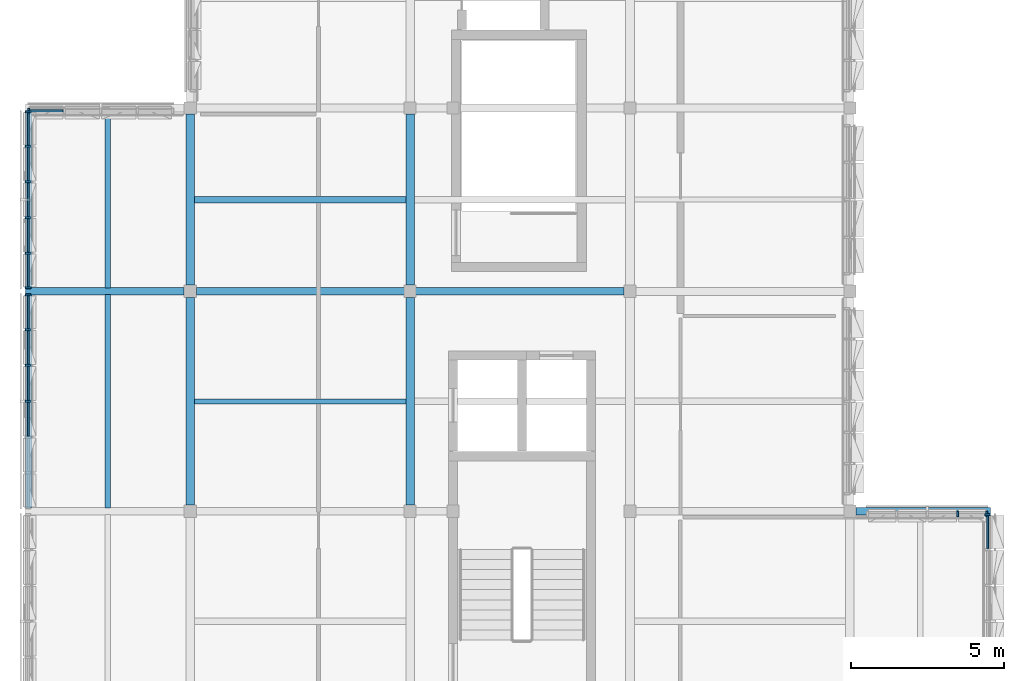
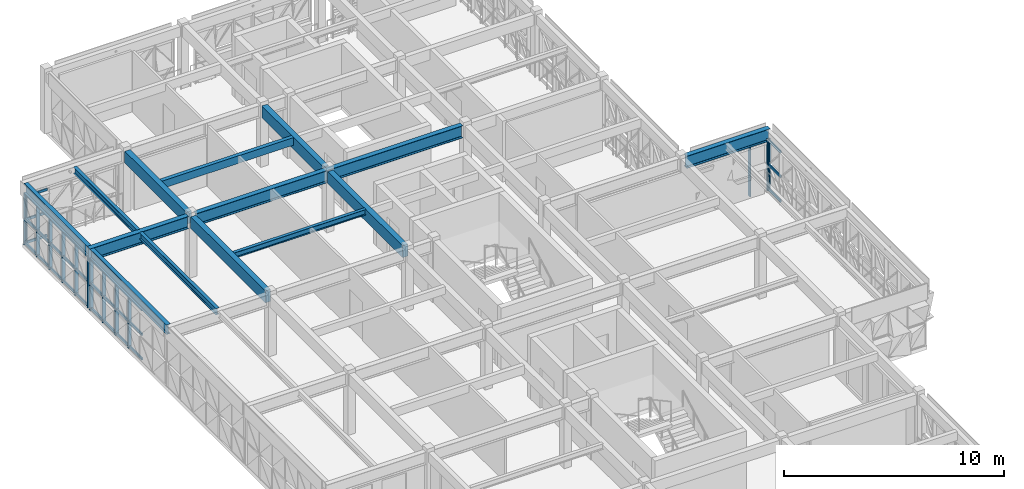
# One storey, part 5 of 25: 47 members, 13 beams, 5 elements without a shape of their own.
"""IFC4 building model written with IfcOpenShell, lengths in metres."""

from ifc_helpers import new_model, si_unit, direction, frame, origin, origin_2d, place, context, subcontext, project, spatial, rectangle, i_section, extrude, material, material_profile, profile_set, type_object, element, aggregate, save


model = new_model("IFC4")

# Units and contexts
model_context = context("Model", 3, precision=1e-05, world=origin(), true_north=direction((0.0, 1.0)))
body_context = subcontext(model_context, "Body", "Model", "MODEL_VIEW")
ifc_project = project(units=[si_unit("LENGTHUNIT", "METRE"), si_unit("AREAUNIT", "SQUARE_METRE"), si_unit("VOLUMEUNIT", "CUBIC_METRE"), si_unit("PLANEANGLEUNIT", "RADIAN"), si_unit("MASSUNIT", "GRAM", prefix="KILO")], contexts=[model_context])

# Site, building, storey
site_placement = place(None, origin())
site = spatial("IfcSite", under=ifc_project, at=site_placement, CompositionType="ELEMENT")
building_placement = place(site_placement, origin())
building = spatial("IfcBuilding", under=site, at=building_placement, Name="Alvorim Cloister Faculty of Sciences", CompositionType="ELEMENT")
storey_placement = place(building_placement, frame((0.0, 0.0, 29.699951171875)))
storey = spatial("IfcBuildingStorey", under=building, at=storey_placement, Name="L08", CompositionType="ELEMENT", Elevation=29.699951171875)

# Beams
ifc_material_1 = material(Name="Glulam GL28h", Category="wood")
ifc_material_profile_1 = material_profile(ifc_material_1, rectangle(XDim=0.280029296875, YDim=0.659912109375, at=origin_2d()), Name="GL28-BM-280x660")
ifc_profile_set_1 = profile_set([ifc_material_profile_1], Name="Glulam GL28h")
beam_type_1 = type_object("IfcBeamType", Name="BM-GL-280x660", PredefinedType="BEAM", material=ifc_profile_set_1)
beam_1_placement = place(storey_placement, frame((7.199951171875, 36.199951171875, 3.070068359375), z_axis=(0.0, 1.0, 0.0), x_axis=(-1.0, 0.0, 0.0)))
element("IfcBeam", 1, at=beam_1_placement, inside=storey, type_object=beam_type_1, Name="L08 Primary Girder BM-2184", PredefinedType="BEAM", context=body_context, shape_type="SweptSolid", body=[
    extrude(rectangle(XDim=0.280029296875, YDim=0.659912109375, at=origin_2d()), origin(), (0.0, 0.0, 1.0), 6.800048828125),
])
beam_2_placement = place(storey_placement, frame((7.199951171875, 43.39990234375, 3.070068359375), z_axis=(0.0, 1.0, 0.0), x_axis=(-1.0, 0.0, 0.0)))
element("IfcBeam", 2, at=beam_2_placement, inside=storey, type_object=beam_type_1, Name="L08 Primary Girder BM-2185", PredefinedType="BEAM", context=body_context, shape_type="SweptSolid", body=[
    extrude(rectangle(XDim=0.280029296875, YDim=0.659912109375, at=origin_2d()), origin(), (0.0, 0.0, 1.0), 5.60009765625),
])
beam_3_placement = place(storey_placement, frame((14.39990234375, 36.199951171875, 3.06005859375), z_axis=(0.0, 1.0, 0.0), x_axis=(-1.0, 0.0, 0.0)))
element("IfcBeam", 3, at=beam_3_placement, inside=storey, type_object=beam_type_1, Name="L08 Primary Girder BM-2191", PredefinedType="BEAM", context=body_context, shape_type="SweptSolid", body=[
    extrude(rectangle(XDim=0.280029296875, YDim=0.659912109375, at=origin_2d()), origin(), (0.0, 0.0, 1.0), 6.800048828125),
])
beam_4_placement = place(storey_placement, frame((14.39990234375, 43.39990234375, 3.070068359375), z_axis=(0.0, 1.0, 0.0), x_axis=(-1.0, 0.0, 0.0)))
element("IfcBeam", 4, at=beam_4_placement, inside=storey, type_object=beam_type_1, Name="L08 Primary Girder BM-2192", PredefinedType="BEAM", context=body_context, shape_type="SweptSolid", body=[
    extrude(rectangle(XDim=0.280029296875, YDim=0.659912109375, at=origin_2d()), origin(), (0.0, 0.0, 1.0), 5.60009765625),
])
ifc_material_profile_2 = material_profile(ifc_material_1, rectangle(XDim=0.199951171875, YDim=0.419921875, at=origin_2d()), Name="GL28-JST-200x420")
ifc_profile_set_2 = profile_set([ifc_material_profile_2], Name="Glulam GL28h")
beam_type_2 = type_object("IfcBeamType", Name="BM-JST-GL-200x420", PredefinedType="JOIST", material=ifc_profile_set_2)
beam_5_placement = place(storey_placement, frame((7.340087890625, 46.199951171875, 3.18994140625), z_axis=(1.0, 0.0, 0.0), x_axis=(0.0, 1.0, 0.0)))
element("IfcBeam", 5, at=beam_5_placement, inside=storey, type_object=beam_type_2, Name="L08 Secondary Floor Joist BM-2213", PredefinedType="JOIST", context=body_context, shape_type="SweptSolid", body=[
    extrude(rectangle(XDim=0.199951171875, YDim=0.419921875, at=origin_2d()), origin(), (0.0, 0.0, 1.0), 6.919921875),
])
ifc_material_2 = material(Name="Steel ASTM A572 Grade 50", Category="steel")
ifc_material_profile_3 = material_profile(ifc_material_2, i_section(OverallWidth=0.1650390625, OverallDepth=0.31005859375, WebThickness=0.005859375, FlangeThickness=0.009765625, FilletRadius=0.010986328125, at=origin_2d()), Name="W310x38.7")
ifc_profile_set_3 = profile_set([ifc_material_profile_3], Name="Steel ASTM A572 Grade 50")
beam_type_3 = type_object("IfcBeamType", Name="BM-STL-W310", PredefinedType="JOIST", material=ifc_profile_set_3)
beam_6_placement = place(storey_placement, frame((7.340087890625, 39.60009765625, 3.2451171875), z_axis=(1.0, 0.0, 0.0), x_axis=(0.0, 1.0, 0.0)))
element("IfcBeam", 6, at=beam_6_placement, inside=storey, type_object=beam_type_3, Name="L08 Secondary Floor Joist BM-2212", PredefinedType="JOIST", context=body_context, shape_type="SweptSolid", body=[
    extrude(i_section(OverallWidth=0.1650390625, OverallDepth=0.31005859375, WebThickness=0.005859375, FlangeThickness=0.009765625, FilletRadius=0.010986328125, at=origin_2d()), origin(), (0.0, 0.0, 1.0), 6.919921875),
])
ifc_material_profile_4 = material_profile(ifc_material_2, i_section(OverallWidth=0.1708984375, OverallDepth=0.35498046875, WebThickness=0.007080078125, FlangeThickness=0.01171875, FilletRadius=0.012939453125, at=origin_2d()), Name="W360x51.0")
ifc_profile_set_4 = profile_set([ifc_material_profile_4], Name="Steel ASTM A572 Grade 50")
beam_type_4 = type_object("IfcBeamType", Name="BM-STL-W360", PredefinedType="JOIST", material=ifc_profile_set_4)
beam_7_placement = place(storey_placement, frame((4.5, 36.110107421875, 3.22265625), z_axis=(0.0, 1.0, 0.0), x_axis=(-1.0, 0.0, 0.0)))
element("IfcBeam", 7, at=beam_7_placement, inside=storey, type_object=beam_type_4, Name="L08 Cantilever Deck Joist BM-0202", PredefinedType="JOIST", context=body_context, shape_type="SweptSolid", body=[
    extrude(i_section(OverallWidth=0.1708984375, OverallDepth=0.35498046875, WebThickness=0.007080078125, FlangeThickness=0.01171875, FilletRadius=0.012939453125, at=origin_2d()), origin(), (0.0, 0.0, 1.0), 6.97998046875),
])
beam_8_placement = place(storey_placement, frame((4.5, 43.31005859375, 3.22265625), z_axis=(0.0, 1.0, 0.0), x_axis=(-1.0, 0.0, 0.0)))
element("IfcBeam", 8, at=beam_8_placement, inside=storey, type_object=beam_type_4, Name="L08 Cantilever Deck Joist BM-0204", PredefinedType="JOIST", context=body_context, shape_type="SweptSolid", body=[
    extrude(i_section(OverallWidth=0.1708984375, OverallDepth=0.35498046875, WebThickness=0.007080078125, FlangeThickness=0.01171875, FilletRadius=0.012939453125, at=origin_2d()), origin(), (0.0, 0.0, 1.0), 5.780029296875),
])
ifc_material_profile_5 = material_profile(ifc_material_2, i_section(OverallWidth=0.208984375, OverallDepth=0.532958984375, WebThickness=0.01025390625, FlangeThickness=0.015625, FilletRadius=0.01611328125, at=origin_2d()), Name="W530x92.0")
ifc_profile_set_5 = profile_set([ifc_material_profile_5], Name="Steel ASTM A572 Grade 50")
beam_type_5 = type_object("IfcBeamType", Name="BM-STL-W530", PredefinedType="BEAM", material=ifc_profile_set_5)
beam_9_placement = place(storey_placement, frame((1.919921875, 36.110107421875, 3.133544921875), z_axis=(0.0, 1.0, 0.0), x_axis=(-1.0, 0.0, 0.0)))
element("IfcBeam", 9, at=beam_9_placement, inside=storey, type_object=beam_type_5, Name="L08 Cantilever Tip Header Girder BM-0201", PredefinedType="BEAM", context=body_context, shape_type="SweptSolid", body=[
    extrude(i_section(OverallWidth=0.208984375, OverallDepth=0.532958984375, WebThickness=0.01025390625, FlangeThickness=0.015625, FilletRadius=0.01611328125, at=origin_2d()), origin(), (0.0, 0.0, 1.0), 6.97998046875),
])
beam_10_placement = place(storey_placement, frame((1.919921875, 43.31005859375, 3.133544921875), z_axis=(0.0, 1.0, 0.0), x_axis=(-1.0, 0.0, 0.0)))
element("IfcBeam", 10, at=beam_10_placement, inside=storey, type_object=beam_type_5, Name="L08 Cantilever Tip Header Girder BM-0203", PredefinedType="BEAM", context=body_context, shape_type="SweptSolid", body=[
    extrude(i_section(OverallWidth=0.208984375, OverallDepth=0.532958984375, WebThickness=0.01025390625, FlangeThickness=0.015625, FilletRadius=0.01611328125, at=origin_2d()), origin(), (0.0, 0.0, 1.0), 5.780029296875),
])
ifc_material_profile_6 = material_profile(ifc_material_2, i_section(OverallWidth=0.25390625, OverallDepth=0.68408203125, WebThickness=0.012451171875, FlangeThickness=0.01904296875, FilletRadius=0.01904296875, at=origin_2d()), Name="W690x140.0")
ifc_profile_set_6 = profile_set([ifc_material_profile_6], Name="Steel ASTM A572 Grade 50")
beam_type_6 = type_object("IfcBeamType", Name="BM-STL-W690", PredefinedType="BEAM", material=ifc_profile_set_6)
beam_11_placement = place(storey_placement, frame((7.39990234375, 43.199951171875, 3.05810546875), z_axis=(1.0, 0.0, 0.0), x_axis=(0.0, 1.0, 0.0)))
element("IfcBeam", 11, at=beam_11_placement, inside=storey, type_object=beam_type_6, Name="L08 Cantilever Backspan Girder BM-0193", PredefinedType="BEAM", context=body_context, shape_type="SweptSolid", body=[
    extrude(i_section(OverallWidth=0.25390625, OverallDepth=0.68408203125, WebThickness=0.012451171875, FlangeThickness=0.01904296875, FilletRadius=0.01904296875, at=origin_2d()), origin(), (0.0, 0.0, 1.0), 14.0),
])
beam_12_placement = place(storey_placement, frame((1.800048828125, 43.199951171875, 3.05810546875), z_axis=(1.0, 0.0, 0.0), x_axis=(0.0, 1.0, 0.0)))
element("IfcBeam", 12, at=beam_12_placement, inside=storey, type_object=beam_type_6, Name="L08 Cantilever Overhang Girder BM-0194", PredefinedType="BEAM", context=body_context, shape_type="SweptSolid", body=[
    extrude(i_section(OverallWidth=0.25390625, OverallDepth=0.68408203125, WebThickness=0.012451171875, FlangeThickness=0.01904296875, FilletRadius=0.01904296875, at=origin_2d()), origin(), (0.0, 0.0, 1.0), 5.199951171875),
])
beam_13_placement = place(storey_placement, frame((29.0, 36.0, 3.05810546875), z_axis=(1.0, 0.0, 0.0), x_axis=(0.0, 1.0, 0.0)))
element("IfcBeam", 13, at=beam_13_placement, inside=storey, type_object=beam_type_6, Name="L08 Cantilever Overhang Girder BM-0220", PredefinedType="BEAM", context=body_context, shape_type="SweptSolid", body=[
    extrude(i_section(OverallWidth=0.25390625, OverallDepth=0.68408203125, WebThickness=0.012451171875, FlangeThickness=0.01904296875, FilletRadius=0.01904296875, at=origin_2d()), origin(), (0.0, 0.0, 1.0), 4.39990234375),
])

# Curtain wall, members
ifc_material_3 = material(Name="Aluminium and Low-E Glass Curtain Wall", Category="aluminium")
curtain_wall_type_1 = type_object("IfcCurtainWallType", Name="CW-TRI-7040x2867", PredefinedType="USERDEFINED", material=ifc_material_3)
curtain_wall_1_placement = place(storey_placement, origin())
curtain_wall_1 = element("IfcCurtainWall", 14, at=curtain_wall_1_placement, inside=storey, type_object=curtain_wall_type_1, Name="L08 Diagonal Cassette Curtain Wall CW-0283", ObjectType="UNITISED CURTAIN WALL", PredefinedType="USERDEFINED")
ifc_material_4 = material(Name="Aluminium Alloy 6063-T6", Category="aluminium")
ifc_material_profile_7 = material_profile(ifc_material_4, rectangle(XDim=0.06494140625, YDim=0.179931640625, at=origin_2d()), Name="ALU-MUL-65x180")
ifc_profile_set_7 = profile_set([ifc_material_profile_7], Name="Aluminium Alloy 6063-T6")
member_type_1 = type_object("IfcMemberType", Name="CW-MUL-65x180", PredefinedType="MULLION", material=ifc_profile_set_7)
member_1_placement = place(storey_placement, frame((1.889892578125, 39.60009765625, 0.0), z_axis=(0.0, 0.0, 1.0), x_axis=(0.0, 1.0, 0.0)))
member_1 = element("IfcMember", 15, at=member_1_placement, type_object=member_type_1, Name="CW-0283 Mullion 4", PredefinedType="MULLION", context=body_context, shape_type="SweptSolid", body=[
    extrude(rectangle(XDim=0.06494140625, YDim=0.179931640625, at=origin_2d()), origin(), (0.0, 0.0, 1.0), 2.866943359375),
])
member_2_placement = place(storey_placement, frame((1.889892578125, 40.773193359375, 0.0), z_axis=(0.0, 0.0, 1.0), x_axis=(0.0, 1.0, 0.0)))
member_2 = element("IfcMember", 16, at=member_2_placement, type_object=member_type_1, Name="CW-0283 Mullion 5", PredefinedType="MULLION", context=body_context, shape_type="SweptSolid", body=[
    extrude(rectangle(XDim=0.06494140625, YDim=0.179931640625, at=origin_2d()), origin(), (0.0, 0.0, 1.0), 2.866943359375),
])
member_3_placement = place(storey_placement, frame((1.889892578125, 41.94677734375, 0.0), z_axis=(0.0, 0.0, 1.0), x_axis=(0.0, 1.0, 0.0)))
member_3 = element("IfcMember", 17, at=member_3_placement, type_object=member_type_1, Name="CW-0283 Mullion 6", PredefinedType="MULLION", context=body_context, shape_type="SweptSolid", body=[
    extrude(rectangle(XDim=0.06494140625, YDim=0.179931640625, at=origin_2d()), origin(), (0.0, 0.0, 1.0), 2.866943359375),
])
member_4_placement = place(storey_placement, frame((1.889892578125, 43.08740234375, 0.0), z_axis=(0.0, 0.0, 1.0), x_axis=(0.0, 1.0, 0.0)))
member_4 = element("IfcMember", 18, at=member_4_placement, type_object=member_type_1, Name="CW-0283 Mullion 7", PredefinedType="MULLION", context=body_context, shape_type="SweptSolid", body=[
    extrude(rectangle(XDim=0.06494140625, YDim=0.179931640625, at=origin_2d()), origin(), (0.0, 0.0, 1.0), 2.866943359375),
])

curtain_wall_type_2 = type_object("IfcCurtainWallType", Name="CW-TRI-5840x2867", PredefinedType="USERDEFINED", material=ifc_material_3)
curtain_wall_2_placement = place(storey_placement, origin())
curtain_wall_2 = element("IfcCurtainWall", 19, at=curtain_wall_2_placement, inside=storey, type_object=curtain_wall_type_2, Name="L08 Diagonal Cassette Curtain Wall CW-0284", ObjectType="UNITISED CURTAIN WALL", PredefinedType="USERDEFINED")
member_5_placement = place(storey_placement, frame((1.889892578125, 43.3125, 0.0), z_axis=(0.0, 0.0, 1.0), x_axis=(0.0, 1.0, 0.0)))
member_5 = element("IfcMember", 20, at=member_5_placement, type_object=member_type_1, Name="CW-0284 Mullion 1", PredefinedType="MULLION", context=body_context, shape_type="SweptSolid", body=[
    extrude(rectangle(XDim=0.06494140625, YDim=0.179931640625, at=origin_2d()), origin(), (0.0, 0.0, 1.0), 2.866943359375),
])
member_6_placement = place(storey_placement, frame((1.889892578125, 44.447998046875, 0.0), z_axis=(0.0, 0.0, 1.0), x_axis=(0.0, 1.0, 0.0)))
member_6 = element("IfcMember", 21, at=member_6_placement, type_object=member_type_1, Name="CW-0284 Mullion 2", PredefinedType="MULLION", context=body_context, shape_type="SweptSolid", body=[
    extrude(rectangle(XDim=0.06494140625, YDim=0.179931640625, at=origin_2d()), origin(), (0.0, 0.0, 1.0), 2.866943359375),
])
member_7_placement = place(storey_placement, frame((1.889892578125, 45.615966796875, 0.0), z_axis=(0.0, 0.0, 1.0), x_axis=(0.0, 1.0, 0.0)))
member_7 = element("IfcMember", 22, at=member_7_placement, type_object=member_type_1, Name="CW-0284 Mullion 3", PredefinedType="MULLION", context=body_context, shape_type="SweptSolid", body=[
    extrude(rectangle(XDim=0.06494140625, YDim=0.179931640625, at=origin_2d()), origin(), (0.0, 0.0, 1.0), 2.866943359375),
])
member_8_placement = place(storey_placement, frame((1.889892578125, 46.783935546875, 0.0), z_axis=(0.0, 0.0, 1.0), x_axis=(0.0, 1.0, 0.0)))
member_8 = element("IfcMember", 23, at=member_8_placement, type_object=member_type_1, Name="CW-0284 Mullion 4", PredefinedType="MULLION", context=body_context, shape_type="SweptSolid", body=[
    extrude(rectangle(XDim=0.06494140625, YDim=0.179931640625, at=origin_2d()), origin(), (0.0, 0.0, 1.0), 2.866943359375),
])
member_9_placement = place(storey_placement, frame((1.889892578125, 47.951904296875, 0.0), z_axis=(0.0, 0.0, 1.0), x_axis=(0.0, 1.0, 0.0)))
member_9 = element("IfcMember", 24, at=member_9_placement, type_object=member_type_1, Name="CW-0284 Mullion 5", PredefinedType="MULLION", context=body_context, shape_type="SweptSolid", body=[
    extrude(rectangle(XDim=0.06494140625, YDim=0.179931640625, at=origin_2d()), origin(), (0.0, 0.0, 1.0), 2.866943359375),
])
member_10_placement = place(storey_placement, frame((1.889892578125, 49.08740234375, 0.0), z_axis=(0.0, 0.0, 1.0), x_axis=(0.0, 1.0, 0.0)))
member_10 = element("IfcMember", 25, at=member_10_placement, type_object=member_type_1, Name="CW-0284 Mullion 6", PredefinedType="MULLION", context=body_context, shape_type="SweptSolid", body=[
    extrude(rectangle(XDim=0.06494140625, YDim=0.179931640625, at=origin_2d()), origin(), (0.0, 0.0, 1.0), 2.866943359375),
])

# Curtain wall, member
curtain_wall_type_3 = type_object("IfcCurtainWallType", Name="CW-TRI-4780x2716", PredefinedType="USERDEFINED", material=ifc_material_3)
curtain_wall_3_placement = place(storey_placement, origin())
curtain_wall_3 = element("IfcCurtainWall", 26, at=curtain_wall_3_placement, inside=storey, type_object=curtain_wall_type_3, Name="L08 Diagonal Cassette Curtain Wall CW-0285", ObjectType="UNITISED CURTAIN WALL", PredefinedType="USERDEFINED")
member_11_placement = place(storey_placement, frame((1.91259765625, 49.110107421875, 0.0), z_axis=(0.0, 0.0, 1.0), x_axis=(1.0, 0.0, 0.0)))
member_11 = element("IfcMember", 27, at=member_11_placement, type_object=member_type_1, Name="CW-0285 Mullion 1", PredefinedType="MULLION", context=body_context, shape_type="SweptSolid", body=[
    extrude(rectangle(XDim=0.06494140625, YDim=0.179931640625, at=origin_2d()), origin(), (0.0, 0.0, 1.0), 2.716064453125),
])

# Curtain wall, members
curtain_wall_type_4 = type_object("IfcCurtainWallType", Name="CW-TRI-3980x2716", PredefinedType="USERDEFINED", material=ifc_material_3)
curtain_wall_4_placement = place(storey_placement, origin())
curtain_wall_4 = element("IfcCurtainWall", 28, at=curtain_wall_4_placement, inside=storey, type_object=curtain_wall_type_4, Name="L08 Diagonal Cassette Curtain Wall CW-0293", ObjectType="UNITISED CURTAIN WALL", PredefinedType="USERDEFINED")
member_12_placement = place(storey_placement, frame((32.324951171875, 35.909912109375, 0.0), z_axis=(0.0, 0.0, 1.0), x_axis=(1.0, 0.0, 0.0)))
member_12 = element("IfcMember", 29, at=member_12_placement, type_object=member_type_1, Name="CW-0293 Mullion 4", PredefinedType="MULLION", context=body_context, shape_type="SweptSolid", body=[
    extrude(rectangle(XDim=0.06494140625, YDim=0.179931640625, at=origin_2d()), origin(), (0.0, 0.0, 1.0), 2.716064453125),
])
member_13_placement = place(storey_placement, frame((33.28759765625, 35.909912109375, 0.0), z_axis=(0.0, 0.0, 1.0), x_axis=(1.0, 0.0, 0.0)))
member_13 = element("IfcMember", 30, at=member_13_placement, type_object=member_type_1, Name="CW-0293 Mullion 5", PredefinedType="MULLION", context=body_context, shape_type="SweptSolid", body=[
    extrude(rectangle(XDim=0.06494140625, YDim=0.179931640625, at=origin_2d()), origin(), (0.0, 0.0, 1.0), 2.716064453125),
])
aggregate(curtain_wall_4, [member_12, member_13])

# Curtain wall, member
curtain_wall_5_placement = place(storey_placement, origin())
curtain_wall_5 = element("IfcCurtainWall", 31, at=curtain_wall_5_placement, inside=storey, type_object=curtain_wall_type_1, Name="L08 Diagonal Cassette Curtain Wall CW-0294", ObjectType="UNITISED CURTAIN WALL", PredefinedType="USERDEFINED")
member_14_placement = place(storey_placement, frame((33.31005859375, 35.887451171875, 0.0), z_axis=(0.0, 0.0, 1.0), x_axis=(0.0, 1.0, 0.0)))
member_14 = element("IfcMember", 32, at=member_14_placement, type_object=member_type_1, Name="CW-0294 Mullion 7", PredefinedType="MULLION", context=body_context, shape_type="SweptSolid", body=[
    extrude(rectangle(XDim=0.06494140625, YDim=0.179931640625, at=origin_2d()), origin(), (0.0, 0.0, 1.0), 2.866943359375),
])

# Member
ifc_material_profile_8 = material_profile(ifc_material_4, rectangle(XDim=0.06494140625, YDim=0.139892578125, at=origin_2d()), Name="ALU-TRN-65x140")
ifc_profile_set_8 = profile_set([ifc_material_profile_8], Name="Aluminium Alloy 6063-T6")
member_type_2 = type_object("IfcMemberType", Name="CW-TRN-65x140", PredefinedType="USERDEFINED", material=ifc_profile_set_8)
member_15_placement = place(storey_placement, frame((1.889892578125, 38.459228515625, 0.070068359375), z_axis=(0.0, 1.0, 0.0), x_axis=(-1.0, 0.0, 0.0)))
member_15 = element("IfcMember", 33, at=member_15_placement, type_object=member_type_2, Name="CW-0283 Transom 3.1", ObjectType="TRANSOM", PredefinedType="USERDEFINED", context=body_context, shape_type="SweptSolid", body=[
    extrude(rectangle(XDim=0.06494140625, YDim=0.139892578125, at=origin_2d()), origin(), (0.0, 0.0, 1.0), 1.108154296875),
])

member_16_placement = place(storey_placement, frame((1.889892578125, 38.459228515625, 1.43359375), z_axis=(0.0, 1.0, 0.0), x_axis=(-1.0, 0.0, 0.0)))
member_16 = element("IfcMember", 34, at=member_16_placement, type_object=member_type_2, Name="CW-0283 Transom 3.2", ObjectType="TRANSOM", PredefinedType="USERDEFINED", context=body_context, shape_type="SweptSolid", body=[
    extrude(rectangle(XDim=0.06494140625, YDim=0.139892578125, at=origin_2d()), origin(), (0.0, 0.0, 1.0), 1.108154296875),
])

member_17_placement = place(storey_placement, frame((1.889892578125, 38.459228515625, 2.797119140625), z_axis=(0.0, 1.0, 0.0), x_axis=(-1.0, 0.0, 0.0)))
member_17 = element("IfcMember", 35, at=member_17_placement, type_object=member_type_2, Name="CW-0283 Transom 3.3", ObjectType="TRANSOM", PredefinedType="USERDEFINED", context=body_context, shape_type="SweptSolid", body=[
    extrude(rectangle(XDim=0.06494140625, YDim=0.139892578125, at=origin_2d()), origin(), (0.0, 0.0, 1.0), 1.108154296875),
])

member_18_placement = place(storey_placement, frame((1.889892578125, 39.632568359375, 0.070068359375), z_axis=(0.0, 1.0, 0.0), x_axis=(-1.0, 0.0, 0.0)))
member_18 = element("IfcMember", 36, at=member_18_placement, type_object=member_type_2, Name="CW-0283 Transom 4.1", ObjectType="TRANSOM", PredefinedType="USERDEFINED", context=body_context, shape_type="SweptSolid", body=[
    extrude(rectangle(XDim=0.06494140625, YDim=0.139892578125, at=origin_2d()), origin(), (0.0, 0.0, 1.0), 1.108154296875),
])

member_19_placement = place(storey_placement, frame((1.889892578125, 39.632568359375, 1.43359375), z_axis=(0.0, 1.0, 0.0), x_axis=(-1.0, 0.0, 0.0)))
member_19 = element("IfcMember", 37, at=member_19_placement, type_object=member_type_2, Name="CW-0283 Transom 4.2", ObjectType="TRANSOM", PredefinedType="USERDEFINED", context=body_context, shape_type="SweptSolid", body=[
    extrude(rectangle(XDim=0.06494140625, YDim=0.139892578125, at=origin_2d()), origin(), (0.0, 0.0, 1.0), 1.108154296875),
])

member_20_placement = place(storey_placement, frame((1.889892578125, 39.632568359375, 2.797119140625), z_axis=(0.0, 1.0, 0.0), x_axis=(-1.0, 0.0, 0.0)))
member_20 = element("IfcMember", 38, at=member_20_placement, type_object=member_type_2, Name="CW-0283 Transom 4.3", ObjectType="TRANSOM", PredefinedType="USERDEFINED", context=body_context, shape_type="SweptSolid", body=[
    extrude(rectangle(XDim=0.06494140625, YDim=0.139892578125, at=origin_2d()), origin(), (0.0, 0.0, 1.0), 1.108154296875),
])

member_21_placement = place(storey_placement, frame((1.889892578125, 40.805908203125, 0.070068359375), z_axis=(0.0, 1.0, 0.0), x_axis=(-1.0, 0.0, 0.0)))
member_21 = element("IfcMember", 39, at=member_21_placement, type_object=member_type_2, Name="CW-0283 Transom 5.1", ObjectType="TRANSOM", PredefinedType="USERDEFINED", context=body_context, shape_type="SweptSolid", body=[
    extrude(rectangle(XDim=0.06494140625, YDim=0.139892578125, at=origin_2d()), origin(), (0.0, 0.0, 1.0), 1.108154296875),
])

member_22_placement = place(storey_placement, frame((1.889892578125, 40.805908203125, 1.43359375), z_axis=(0.0, 1.0, 0.0), x_axis=(-1.0, 0.0, 0.0)))
member_22 = element("IfcMember", 40, at=member_22_placement, type_object=member_type_2, Name="CW-0283 Transom 5.2", ObjectType="TRANSOM", PredefinedType="USERDEFINED", context=body_context, shape_type="SweptSolid", body=[
    extrude(rectangle(XDim=0.06494140625, YDim=0.139892578125, at=origin_2d()), origin(), (0.0, 0.0, 1.0), 1.108154296875),
])

member_23_placement = place(storey_placement, frame((1.889892578125, 40.805908203125, 2.797119140625), z_axis=(0.0, 1.0, 0.0), x_axis=(-1.0, 0.0, 0.0)))
member_23 = element("IfcMember", 41, at=member_23_placement, type_object=member_type_2, Name="CW-0283 Transom 5.3", ObjectType="TRANSOM", PredefinedType="USERDEFINED", context=body_context, shape_type="SweptSolid", body=[
    extrude(rectangle(XDim=0.06494140625, YDim=0.139892578125, at=origin_2d()), origin(), (0.0, 0.0, 1.0), 1.108154296875),
])

member_24_placement = place(storey_placement, frame((1.889892578125, 41.979248046875, 0.070068359375), z_axis=(0.0, 1.0, 0.0), x_axis=(-1.0, 0.0, 0.0)))
member_24 = element("IfcMember", 42, at=member_24_placement, type_object=member_type_2, Name="CW-0283 Transom 6.1", ObjectType="TRANSOM", PredefinedType="USERDEFINED", context=body_context, shape_type="SweptSolid", body=[
    extrude(rectangle(XDim=0.06494140625, YDim=0.139892578125, at=origin_2d()), origin(), (0.0, 0.0, 1.0), 1.07568359375),
])

member_25_placement = place(storey_placement, frame((1.889892578125, 41.979248046875, 1.43359375), z_axis=(0.0, 1.0, 0.0), x_axis=(-1.0, 0.0, 0.0)))
member_25 = element("IfcMember", 43, at=member_25_placement, type_object=member_type_2, Name="CW-0283 Transom 6.2", ObjectType="TRANSOM", PredefinedType="USERDEFINED", context=body_context, shape_type="SweptSolid", body=[
    extrude(rectangle(XDim=0.06494140625, YDim=0.139892578125, at=origin_2d()), origin(), (0.0, 0.0, 1.0), 1.07568359375),
])

member_26_placement = place(storey_placement, frame((1.889892578125, 41.979248046875, 2.797119140625), z_axis=(0.0, 1.0, 0.0), x_axis=(-1.0, 0.0, 0.0)))
member_26 = element("IfcMember", 44, at=member_26_placement, type_object=member_type_2, Name="CW-0283 Transom 6.3", ObjectType="TRANSOM", PredefinedType="USERDEFINED", context=body_context, shape_type="SweptSolid", body=[
    extrude(rectangle(XDim=0.06494140625, YDim=0.139892578125, at=origin_2d()), origin(), (0.0, 0.0, 1.0), 1.07568359375),
])

aggregate(curtain_wall_1, [member_1, member_2, member_3, member_4, member_15, member_16, member_17, member_18, member_19, member_20, member_21, member_22, member_23, member_24, member_25, member_26])

member_27_placement = place(storey_placement, frame((1.889892578125, 43.344970703125, 0.070068359375), z_axis=(0.0, 1.0, 0.0), x_axis=(-1.0, 0.0, 0.0)))
member_27 = element("IfcMember", 45, at=member_27_placement, type_object=member_type_2, Name="CW-0284 Transom 1.1", ObjectType="TRANSOM", PredefinedType="USERDEFINED", context=body_context, shape_type="SweptSolid", body=[
    extrude(rectangle(XDim=0.06494140625, YDim=0.139892578125, at=origin_2d()), origin(), (0.0, 0.0, 1.0), 1.070556640625),
])

member_28_placement = place(storey_placement, frame((1.889892578125, 43.344970703125, 1.43359375), z_axis=(0.0, 1.0, 0.0), x_axis=(-1.0, 0.0, 0.0)))
member_28 = element("IfcMember", 46, at=member_28_placement, type_object=member_type_2, Name="CW-0284 Transom 1.2", ObjectType="TRANSOM", PredefinedType="USERDEFINED", context=body_context, shape_type="SweptSolid", body=[
    extrude(rectangle(XDim=0.06494140625, YDim=0.139892578125, at=origin_2d()), origin(), (0.0, 0.0, 1.0), 1.070556640625),
])

member_29_placement = place(storey_placement, frame((1.889892578125, 43.344970703125, 2.797119140625), z_axis=(0.0, 1.0, 0.0), x_axis=(-1.0, 0.0, 0.0)))
member_29 = element("IfcMember", 47, at=member_29_placement, type_object=member_type_2, Name="CW-0284 Transom 1.3", ObjectType="TRANSOM", PredefinedType="USERDEFINED", context=body_context, shape_type="SweptSolid", body=[
    extrude(rectangle(XDim=0.06494140625, YDim=0.139892578125, at=origin_2d()), origin(), (0.0, 0.0, 1.0), 1.070556640625),
])

member_30_placement = place(storey_placement, frame((1.889892578125, 44.48046875, 0.070068359375), z_axis=(0.0, 1.0, 0.0), x_axis=(-1.0, 0.0, 0.0)))
member_30 = element("IfcMember", 48, at=member_30_placement, type_object=member_type_2, Name="CW-0284 Transom 2.1", ObjectType="TRANSOM", PredefinedType="USERDEFINED", context=body_context, shape_type="SweptSolid", body=[
    extrude(rectangle(XDim=0.06494140625, YDim=0.139892578125, at=origin_2d()), origin(), (0.0, 0.0, 1.0), 1.10302734375),
])

member_31_placement = place(storey_placement, frame((1.889892578125, 44.48046875, 1.43359375), z_axis=(0.0, 1.0, 0.0), x_axis=(-1.0, 0.0, 0.0)))
member_31 = element("IfcMember", 49, at=member_31_placement, type_object=member_type_2, Name="CW-0284 Transom 2.2", ObjectType="TRANSOM", PredefinedType="USERDEFINED", context=body_context, shape_type="SweptSolid", body=[
    extrude(rectangle(XDim=0.06494140625, YDim=0.139892578125, at=origin_2d()), origin(), (0.0, 0.0, 1.0), 1.10302734375),
])

member_32_placement = place(storey_placement, frame((1.889892578125, 44.48046875, 2.797119140625), z_axis=(0.0, 1.0, 0.0), x_axis=(-1.0, 0.0, 0.0)))
member_32 = element("IfcMember", 50, at=member_32_placement, type_object=member_type_2, Name="CW-0284 Transom 2.3", ObjectType="TRANSOM", PredefinedType="USERDEFINED", context=body_context, shape_type="SweptSolid", body=[
    extrude(rectangle(XDim=0.06494140625, YDim=0.139892578125, at=origin_2d()), origin(), (0.0, 0.0, 1.0), 1.10302734375),
])

member_33_placement = place(storey_placement, frame((1.889892578125, 45.6484375, 0.070068359375), z_axis=(0.0, 1.0, 0.0), x_axis=(-1.0, 0.0, 0.0)))
member_33 = element("IfcMember", 51, at=member_33_placement, type_object=member_type_2, Name="CW-0284 Transom 3.1", ObjectType="TRANSOM", PredefinedType="USERDEFINED", context=body_context, shape_type="SweptSolid", body=[
    extrude(rectangle(XDim=0.06494140625, YDim=0.139892578125, at=origin_2d()), origin(), (0.0, 0.0, 1.0), 1.10302734375),
])

member_34_placement = place(storey_placement, frame((1.889892578125, 45.6484375, 1.43359375), z_axis=(0.0, 1.0, 0.0), x_axis=(-1.0, 0.0, 0.0)))
member_34 = element("IfcMember", 52, at=member_34_placement, type_object=member_type_2, Name="CW-0284 Transom 3.2", ObjectType="TRANSOM", PredefinedType="USERDEFINED", context=body_context, shape_type="SweptSolid", body=[
    extrude(rectangle(XDim=0.06494140625, YDim=0.139892578125, at=origin_2d()), origin(), (0.0, 0.0, 1.0), 1.10302734375),
])

member_35_placement = place(storey_placement, frame((1.889892578125, 45.6484375, 2.797119140625), z_axis=(0.0, 1.0, 0.0), x_axis=(-1.0, 0.0, 0.0)))
member_35 = element("IfcMember", 53, at=member_35_placement, type_object=member_type_2, Name="CW-0284 Transom 3.3", ObjectType="TRANSOM", PredefinedType="USERDEFINED", context=body_context, shape_type="SweptSolid", body=[
    extrude(rectangle(XDim=0.06494140625, YDim=0.139892578125, at=origin_2d()), origin(), (0.0, 0.0, 1.0), 1.10302734375),
])

member_36_placement = place(storey_placement, frame((1.889892578125, 46.81640625, 0.070068359375), z_axis=(0.0, 1.0, 0.0), x_axis=(-1.0, 0.0, 0.0)))
member_36 = element("IfcMember", 54, at=member_36_placement, type_object=member_type_2, Name="CW-0284 Transom 4.1", ObjectType="TRANSOM", PredefinedType="USERDEFINED", context=body_context, shape_type="SweptSolid", body=[
    extrude(rectangle(XDim=0.06494140625, YDim=0.139892578125, at=origin_2d()), origin(), (0.0, 0.0, 1.0), 1.10302734375),
])

member_37_placement = place(storey_placement, frame((1.889892578125, 46.81640625, 1.43359375), z_axis=(0.0, 1.0, 0.0), x_axis=(-1.0, 0.0, 0.0)))
member_37 = element("IfcMember", 55, at=member_37_placement, type_object=member_type_2, Name="CW-0284 Transom 4.2", ObjectType="TRANSOM", PredefinedType="USERDEFINED", context=body_context, shape_type="SweptSolid", body=[
    extrude(rectangle(XDim=0.06494140625, YDim=0.139892578125, at=origin_2d()), origin(), (0.0, 0.0, 1.0), 1.10302734375),
])

member_38_placement = place(storey_placement, frame((1.889892578125, 46.81640625, 2.797119140625), z_axis=(0.0, 1.0, 0.0), x_axis=(-1.0, 0.0, 0.0)))
member_38 = element("IfcMember", 56, at=member_38_placement, type_object=member_type_2, Name="CW-0284 Transom 4.3", ObjectType="TRANSOM", PredefinedType="USERDEFINED", context=body_context, shape_type="SweptSolid", body=[
    extrude(rectangle(XDim=0.06494140625, YDim=0.139892578125, at=origin_2d()), origin(), (0.0, 0.0, 1.0), 1.10302734375),
])

member_39_placement = place(storey_placement, frame((1.889892578125, 47.984619140625, 0.070068359375), z_axis=(0.0, 1.0, 0.0), x_axis=(-1.0, 0.0, 0.0)))
member_39 = element("IfcMember", 57, at=member_39_placement, type_object=member_type_2, Name="CW-0284 Transom 5.1", ObjectType="TRANSOM", PredefinedType="USERDEFINED", context=body_context, shape_type="SweptSolid", body=[
    extrude(rectangle(XDim=0.06494140625, YDim=0.139892578125, at=origin_2d()), origin(), (0.0, 0.0, 1.0), 1.0703125),
])

member_40_placement = place(storey_placement, frame((1.889892578125, 47.984619140625, 1.43359375), z_axis=(0.0, 1.0, 0.0), x_axis=(-1.0, 0.0, 0.0)))
member_40 = element("IfcMember", 58, at=member_40_placement, type_object=member_type_2, Name="CW-0284 Transom 5.2", ObjectType="TRANSOM", PredefinedType="USERDEFINED", context=body_context, shape_type="SweptSolid", body=[
    extrude(rectangle(XDim=0.06494140625, YDim=0.139892578125, at=origin_2d()), origin(), (0.0, 0.0, 1.0), 1.0703125),
])

member_41_placement = place(storey_placement, frame((1.889892578125, 47.984619140625, 2.797119140625), z_axis=(0.0, 1.0, 0.0), x_axis=(-1.0, 0.0, 0.0)))
member_41 = element("IfcMember", 59, at=member_41_placement, type_object=member_type_2, Name="CW-0284 Transom 5.3", ObjectType="TRANSOM", PredefinedType="USERDEFINED", context=body_context, shape_type="SweptSolid", body=[
    extrude(rectangle(XDim=0.06494140625, YDim=0.139892578125, at=origin_2d()), origin(), (0.0, 0.0, 1.0), 1.0703125),
])

aggregate(curtain_wall_2, [member_5, member_6, member_7, member_8, member_9, member_10, member_27, member_28, member_29, member_30, member_31, member_32, member_33, member_34, member_35, member_36, member_37, member_38, member_39, member_40, member_41])

member_42_placement = place(storey_placement, frame((1.945068359375, 49.110107421875, 0.070068359375), z_axis=(1.0, 0.0, 0.0), x_axis=(0.0, 1.0, 0.0)))
member_42 = element("IfcMember", 60, at=member_42_placement, type_object=member_type_2, Name="CW-0285 Transom 1.1", ObjectType="TRANSOM", PredefinedType="USERDEFINED", context=body_context, shape_type="SweptSolid", body=[
    extrude(rectangle(XDim=0.06494140625, YDim=0.139892578125, at=origin_2d()), origin(), (0.0, 0.0, 1.0), 1.097412109375),
])

member_43_placement = place(storey_placement, frame((1.945068359375, 49.110107421875, 1.358154296875), z_axis=(1.0, 0.0, 0.0), x_axis=(0.0, 1.0, 0.0)))
member_43 = element("IfcMember", 61, at=member_43_placement, type_object=member_type_2, Name="CW-0285 Transom 1.2", ObjectType="TRANSOM", PredefinedType="USERDEFINED", context=body_context, shape_type="SweptSolid", body=[
    extrude(rectangle(XDim=0.06494140625, YDim=0.139892578125, at=origin_2d()), origin(), (0.0, 0.0, 1.0), 1.097412109375),
])

member_44_placement = place(storey_placement, frame((1.945068359375, 49.110107421875, 2.64599609375), z_axis=(1.0, 0.0, 0.0), x_axis=(0.0, 1.0, 0.0)))
member_44 = element("IfcMember", 62, at=member_44_placement, type_object=member_type_2, Name="CW-0285 Transom 1.3", ObjectType="TRANSOM", PredefinedType="USERDEFINED", context=body_context, shape_type="SweptSolid", body=[
    extrude(rectangle(XDim=0.06494140625, YDim=0.139892578125, at=origin_2d()), origin(), (0.0, 0.0, 1.0), 1.097412109375),
])

aggregate(curtain_wall_3, [member_11, member_42, member_43, member_44])

member_45_placement = place(storey_placement, frame((33.31005859375, 34.779052734375, 0.070068359375), z_axis=(0.0, 1.0, 0.0), x_axis=(-1.0, 0.0, 0.0)))
member_45 = element("IfcMember", 63, at=member_45_placement, type_object=member_type_2, Name="CW-0294 Transom 6.1", ObjectType="TRANSOM", PredefinedType="USERDEFINED", context=body_context, shape_type="SweptSolid", body=[
    extrude(rectangle(XDim=0.06494140625, YDim=0.139892578125, at=origin_2d()), origin(), (0.0, 0.0, 1.0), 1.075927734375),
])

member_46_placement = place(storey_placement, frame((33.31005859375, 34.779052734375, 1.43359375), z_axis=(0.0, 1.0, 0.0), x_axis=(-1.0, 0.0, 0.0)))
member_46 = element("IfcMember", 64, at=member_46_placement, type_object=member_type_2, Name="CW-0294 Transom 6.2", ObjectType="TRANSOM", PredefinedType="USERDEFINED", context=body_context, shape_type="SweptSolid", body=[
    extrude(rectangle(XDim=0.06494140625, YDim=0.139892578125, at=origin_2d()), origin(), (0.0, 0.0, 1.0), 1.075927734375),
])

member_47_placement = place(storey_placement, frame((33.31005859375, 34.779052734375, 2.797119140625), z_axis=(0.0, 1.0, 0.0), x_axis=(-1.0, 0.0, 0.0)))
member_47 = element("IfcMember", 65, at=member_47_placement, type_object=member_type_2, Name="CW-0294 Transom 6.3", ObjectType="TRANSOM", PredefinedType="USERDEFINED", context=body_context, shape_type="SweptSolid", body=[
    extrude(rectangle(XDim=0.06494140625, YDim=0.139892578125, at=origin_2d()), origin(), (0.0, 0.0, 1.0), 1.075927734375),
])

aggregate(curtain_wall_5, [member_14, member_45, member_46, member_47])

save(model, "model.ifc")
